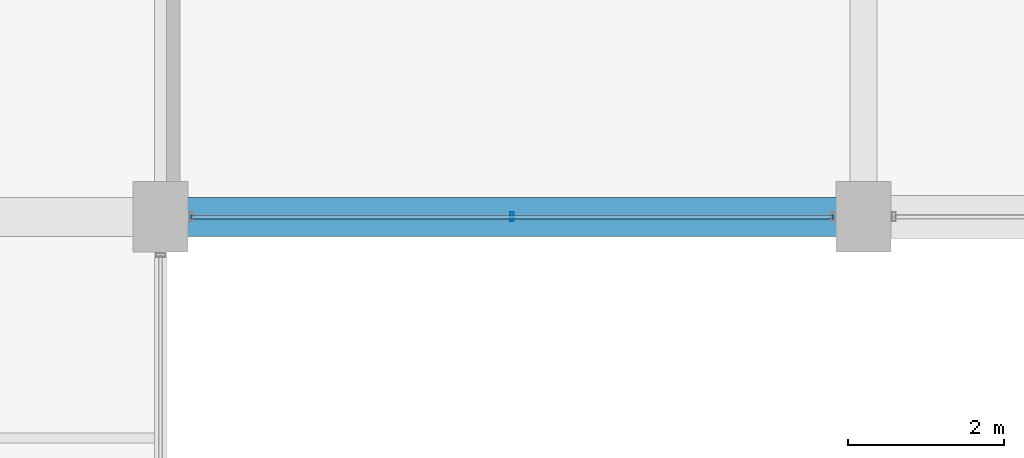
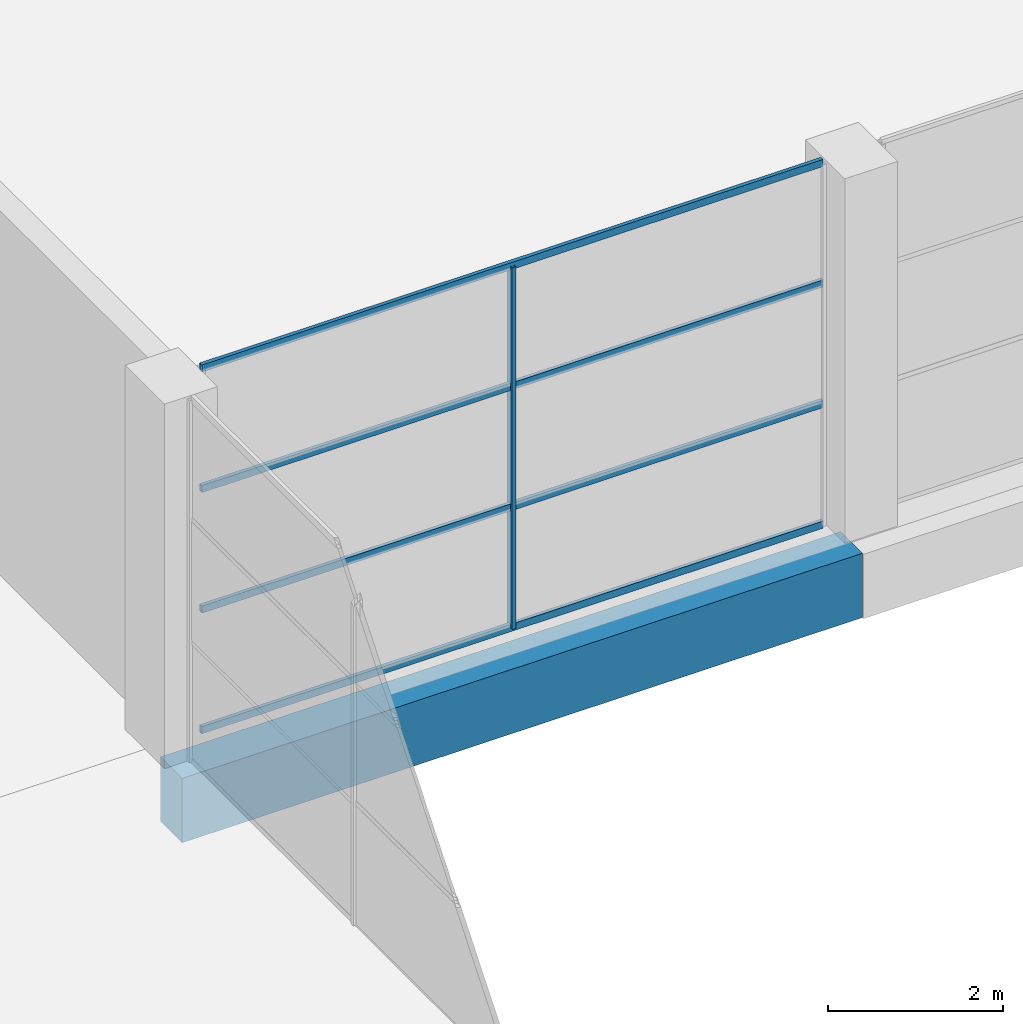
# One storey, part 51 of 90: 5 members, 1 beam, 1 element without a shape of its own.
"""IFC4 building model written with IfcOpenShell, lengths in metres."""

from ifc_helpers import new_model, si_unit, direction, frame, origin, origin_2d, place, context, subcontext, project, spatial, rectangle, hollow_rectangle, extrude, material, material_profile, profile_set, type_object, element, aggregate, save


model = new_model("IFC4")

# Units and contexts
model_context = context("Model", 3, precision=1e-05, world=origin(), true_north=direction((0.0, 1.0)))
body_context = subcontext(model_context, "Body", "Model", "MODEL_VIEW")
ifc_project = project(units=[si_unit("LENGTHUNIT", "METRE"), si_unit("AREAUNIT", "SQUARE_METRE"), si_unit("VOLUMEUNIT", "CUBIC_METRE"), si_unit("PLANEANGLEUNIT", "RADIAN"), si_unit("MASSUNIT", "GRAM", prefix="KILO")], contexts=[model_context])

# Site, building, storey
site_placement = place(None, origin())
site = spatial("IfcSite", under=ifc_project, at=site_placement, CompositionType="ELEMENT")
building_placement = place(site_placement, origin())
building = spatial("IfcBuilding", under=site, at=building_placement, Name="Solvikara Media Centre", CompositionType="ELEMENT")
storey_placement = place(building_placement, origin())
storey = spatial("IfcBuildingStorey", under=building, at=storey_placement, Name="L00", CompositionType="ELEMENT", Elevation=0.0)

# Beam
ifc_material_1 = material(Name="Concrete fc' 45 MPa (C45/55)", Category="concrete")
ifc_material_profile_1 = material_profile(ifc_material_1, rectangle(XDim=0.5, YDim=0.89990234375, at=origin_2d()), Name="RC 500x900")
ifc_profile_set_1 = profile_set([ifc_material_profile_1], Name="Concrete fc' 45 MPa (C45/55)")
beam_type = type_object("IfcBeamType", Name="BM-09", PredefinedType="BEAM", material=ifc_profile_set_1)
beam_placement = place(storey_placement, frame((136.5, 89.0, -0.830078125), z_axis=(1.0, 0.0, 0.0), x_axis=(0.0, 1.0, 0.0)))
element("IfcBeam", 1, at=beam_placement, inside=storey, type_object=beam_type, Name="B-L00-X0093", PredefinedType="BEAM", context=body_context, shape_type="SweptSolid", body=[
    extrude(rectangle(XDim=0.5, YDim=0.89990234375, at=origin_2d()), origin(), (0.0, 0.0, 1.0), 9.0),
])

# Curtain wall, members
ifc_material_2 = material(Name="Anodised aluminium EN AW-6063", Category="aluminium")
curtain_wall_type = type_object("IfcCurtainWallType", Name="CW-12", PredefinedType="NOTDEFINED", material=ifc_material_2)
curtain_wall_placement = place(storey_placement, origin())
curtain_wall = element("IfcCurtainWall", 2, at=curtain_wall_placement, inside=storey, type_object=curtain_wall_type, Name="CW-L00-CRT-3-S2", PredefinedType="NOTDEFINED")
ifc_material_profile_2 = material_profile(ifc_material_2, hollow_rectangle(XDim=0.050048828125, YDim=0.1201171875, WallThickness=0.0029296875, at=origin_2d()), Name="ALU-M 50x120x3")
ifc_profile_set_2 = profile_set([ifc_material_profile_2], Name="Anodised aluminium EN AW-6063")
member_type_1 = type_object("IfcMemberType", Name="MF-06", PredefinedType="MULLION", material=ifc_profile_set_2)
member_1_placement = place(storey_placement, frame((141.0, 89.0, 0.02001953125), z_axis=(0.0, 0.0, 1.0), x_axis=(-1.0, 0.0, 0.0)))
member_1 = element("IfcMember", 3, at=member_1_placement, type_object=member_type_1, Name="CW-L00-CRT-3-S2-M01", PredefinedType="MULLION", context=body_context, shape_type="SweptSolid", body=[
    extrude(hollow_rectangle(XDim=0.050048828125, YDim=0.1201171875, WallThickness=0.0029296875, at=origin_2d()), origin(), (0.0, 0.0, 1.0), 5.06005859375),
])
ifc_material_profile_3 = material_profile(ifc_material_2, hollow_rectangle(XDim=0.050048828125, YDim=0.10009765625, WallThickness=0.0029296875, at=origin_2d()), Name="ALU-T 50x100x3")
ifc_profile_set_3 = profile_set([ifc_material_profile_3], Name="Anodised aluminium EN AW-6063")
member_type_2 = type_object("IfcMemberType", Name="MF-12", PredefinedType="USERDEFINED", material=ifc_profile_set_3)
member_2_placement = place(storey_placement, frame((145.110107421875, 89.0, 0.02001953125), z_axis=(-1.0, 0.0, 0.0), x_axis=(0.0, -1.0, 0.0)))
member_2 = element("IfcMember", 4, at=member_2_placement, type_object=member_type_2, Name="CW-L00-CRT-3-S2-T00", ObjectType="TRANSOM", PredefinedType="USERDEFINED", context=body_context, shape_type="SweptSolid", body=[
    extrude(hollow_rectangle(XDim=0.050048828125, YDim=0.10009765625, WallThickness=0.0029296875, at=origin_2d()), origin(), (0.0, 0.0, 1.0), 8.22021484375),
])
member_3_placement = place(storey_placement, frame((145.110107421875, 89.0, 1.70703125), z_axis=(-1.0, 0.0, 0.0), x_axis=(0.0, -1.0, 0.0)))
member_3 = element("IfcMember", 5, at=member_3_placement, type_object=member_type_2, Name="CW-L00-CRT-3-S2-T01", ObjectType="TRANSOM", PredefinedType="USERDEFINED", context=body_context, shape_type="SweptSolid", body=[
    extrude(hollow_rectangle(XDim=0.050048828125, YDim=0.10009765625, WallThickness=0.0029296875, at=origin_2d()), origin(), (0.0, 0.0, 1.0), 8.22021484375),
])
member_4_placement = place(storey_placement, frame((145.110107421875, 89.0, 3.39306640625), z_axis=(-1.0, 0.0, 0.0), x_axis=(0.0, -1.0, 0.0)))
member_4 = element("IfcMember", 6, at=member_4_placement, type_object=member_type_2, Name="CW-L00-CRT-3-S2-T02", ObjectType="TRANSOM", PredefinedType="USERDEFINED", context=body_context, shape_type="SweptSolid", body=[
    extrude(hollow_rectangle(XDim=0.050048828125, YDim=0.10009765625, WallThickness=0.0029296875, at=origin_2d()), origin(), (0.0, 0.0, 1.0), 8.22021484375),
])
member_5_placement = place(storey_placement, frame((145.110107421875, 89.0, 5.080078125), z_axis=(-1.0, 0.0, 0.0), x_axis=(0.0, -1.0, 0.0)))
member_5 = element("IfcMember", 7, at=member_5_placement, type_object=member_type_2, Name="CW-L00-CRT-3-S2-T03", ObjectType="TRANSOM", PredefinedType="USERDEFINED", context=body_context, shape_type="SweptSolid", body=[
    extrude(hollow_rectangle(XDim=0.050048828125, YDim=0.10009765625, WallThickness=0.0029296875, at=origin_2d()), origin(), (0.0, 0.0, 1.0), 8.22021484375),
])
aggregate(curtain_wall, [member_1, member_2, member_3, member_4, member_5])

save(model, "model.ifc")
